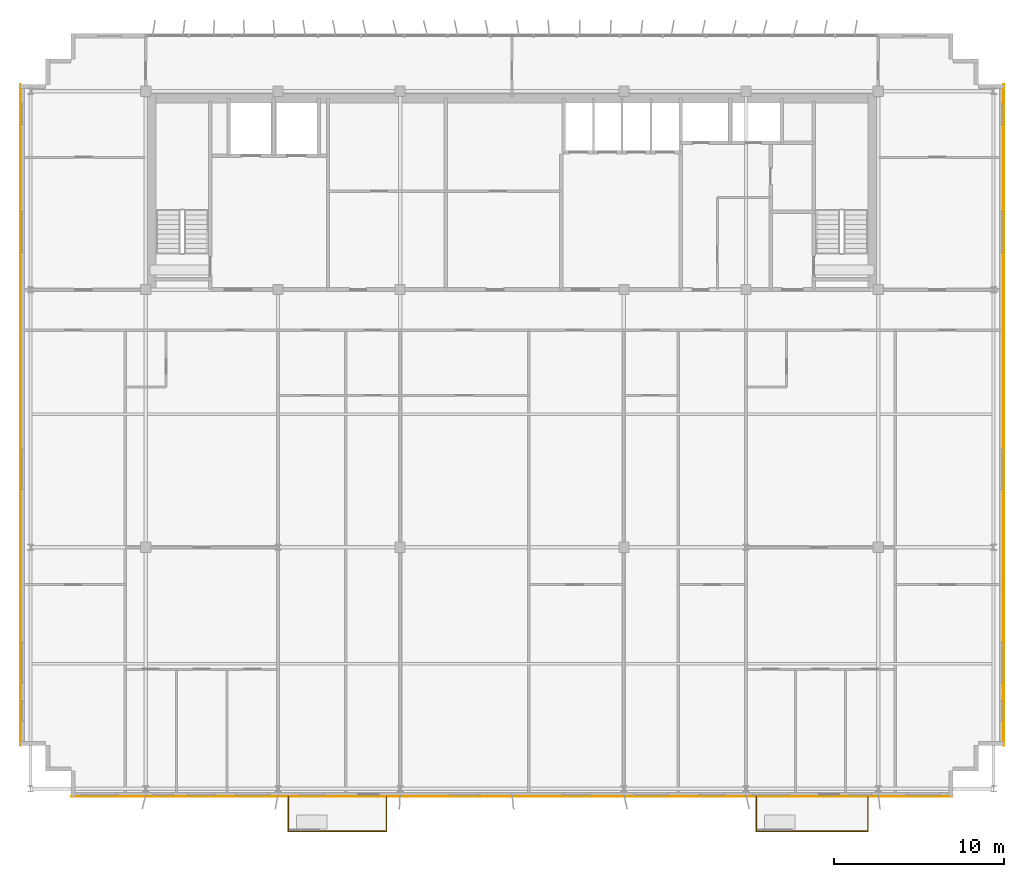
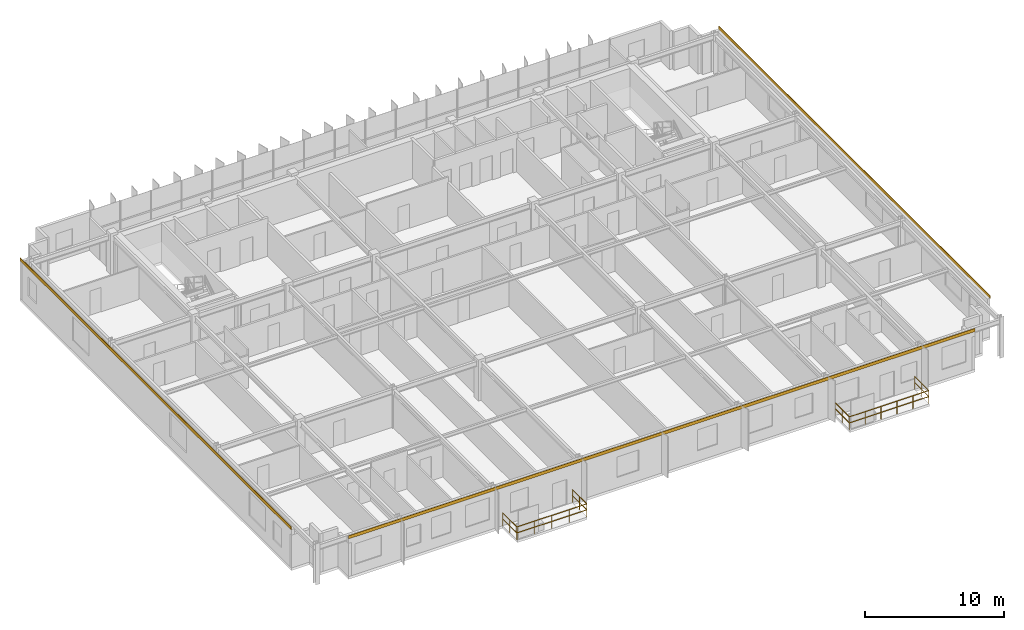
# One storey, part 21 of 22: 6 railings, 3 coverings.
"""IFC4 building model written with IfcOpenShell, lengths in metres."""

from ifc_helpers import new_model, si_unit, direction, frame, origin, origin_2d, place, context, subcontext, project, spatial, rectangle, extrude, source, transform, mapped, material, layer, layer_set, type_object, element, save


model = new_model("IFC4")

# Units and contexts
model_context = context("Model", 3, precision=1e-05, world=origin(), true_north=direction((0.0, 1.0)))
body_context = subcontext(model_context, "Body", "Model", "MODEL_VIEW")
ifc_project = project(units=[si_unit("LENGTHUNIT", "METRE"), si_unit("AREAUNIT", "SQUARE_METRE"), si_unit("VOLUMEUNIT", "CUBIC_METRE"), si_unit("PLANEANGLEUNIT", "RADIAN"), si_unit("MASSUNIT", "GRAM", prefix="KILO")], contexts=[model_context])

# Site, building, storey
site_placement = place(None, origin())
site = spatial("IfcSite", under=ifc_project, at=site_placement, CompositionType="ELEMENT")
building_placement = place(site_placement, origin())
building = spatial("IfcBuilding", under=site, at=building_placement, Name="Trelvane Seafront Commons", CompositionType="ELEMENT")
storey_placement = place(building_placement, frame((0.0, 0.0, 281.10009765625)))
storey = spatial("IfcBuildingStorey", under=building, at=storey_placement, Name="L73", CompositionType="ELEMENT", Elevation=281.10009765625)

# Railings
ifc_material_1 = material(Name="Stainless steel balustrade", Category="steel")
railing_type = type_object("IfcRailingType", Name="ARCH-RAIL-BAL1150", PredefinedType="BALUSTRADE", material=ifc_material_1)
railing_1_placement = place(storey_placement, frame((24.0, 3.5, 0.0)))
element("IfcRailing", 1, at=railing_1_placement, inside=storey, type_object=railing_type, Name="RL-L73-BAL0-01", PredefinedType="BALUSTRADE", context=body_context, shape_type="SweptSolid", body=[
    extrude(rectangle(XDim=0.048095703125, YDim=0.048095703125, at=origin_2d()), frame((0.0, 0.0, 1.1259765625), z_axis=(0.0, -1.0, 0.0), x_axis=(1.0, 0.0, 0.0)), (0.0, 0.0, 1.0), 2.0400390625),
    extrude(rectangle(XDim=0.048095703125, YDim=0.048095703125, at=origin_2d()), frame((0.0, 0.0, 0.597900390625), z_axis=(0.0, -1.0, 0.0), x_axis=(1.0, 0.0, 0.0)), (0.0, 0.0, 1.0), 2.0400390625),
    extrude(rectangle(XDim=0.0419921875, YDim=0.0419921875, at=origin_2d()), origin(), (0.0, 0.0, 1.0), 1.1259765625),
    extrude(rectangle(XDim=0.0419921875, YDim=0.0419921875, at=origin_2d()), frame((0.0, -1.02001953125, 0.0)), (0.0, 0.0, 1.0), 1.1259765625),
    extrude(rectangle(XDim=0.0419921875, YDim=0.0419921875, at=origin_2d()), frame((0.0, -2.0400390625, 0.0)), (0.0, 0.0, 1.0), 1.1259765625),
])
railing_2_placement = place(storey_placement, frame((24.0, 1.4599609375, 0.0)))
element("IfcRailing", 2, at=railing_2_placement, inside=storey, type_object=railing_type, Name="RL-L73-BAL0-02", PredefinedType="BALUSTRADE", context=body_context, shape_type="SweptSolid", body=[
    extrude(rectangle(XDim=0.048095703125, YDim=0.048095703125, at=origin_2d()), frame((0.0, 0.0, 1.1259765625), z_axis=(1.0, 0.0, 0.0), x_axis=(0.0, 1.0, 0.0)), (0.0, 0.0, 1.0), 5.800048828125),
    extrude(rectangle(XDim=0.048095703125, YDim=0.048095703125, at=origin_2d()), frame((0.0, 0.0, 0.597900390625), z_axis=(1.0, 0.0, 0.0), x_axis=(0.0, 1.0, 0.0)), (0.0, 0.0, 1.0), 5.800048828125),
    extrude(rectangle(XDim=0.0419921875, YDim=0.0419921875, at=origin_2d()), origin(), (0.0, 0.0, 1.0), 1.1259765625),
    extrude(rectangle(XDim=0.0419921875, YDim=0.0419921875, at=origin_2d()), frame((1.449951171875, 0.0, 0.0)), (0.0, 0.0, 1.0), 1.1259765625),
    extrude(rectangle(XDim=0.0419921875, YDim=0.0419921875, at=origin_2d()), frame((2.89990234375, 0.0, 0.0)), (0.0, 0.0, 1.0), 1.1259765625),
    extrude(rectangle(XDim=0.0419921875, YDim=0.0419921875, at=origin_2d()), frame((4.35009765625, 0.0, 0.0)), (0.0, 0.0, 1.0), 1.1259765625),
    extrude(rectangle(XDim=0.0419921875, YDim=0.0419921875, at=origin_2d()), frame((5.800048828125, 0.0, 0.0)), (0.0, 0.0, 1.0), 1.1259765625),
])
railing_3_placement = place(storey_placement, frame((29.800048828125, 1.4599609375, 0.0)))
element("IfcRailing", 3, at=railing_3_placement, inside=storey, type_object=railing_type, Name="RL-L73-BAL0-03", PredefinedType="BALUSTRADE", context=body_context, shape_type="SweptSolid", body=[
    extrude(rectangle(XDim=0.048095703125, YDim=0.048095703125, at=origin_2d()), frame((0.0, 0.0, 1.1259765625), z_axis=(0.0, 1.0, 0.0), x_axis=(-1.0, 0.0, 0.0)), (0.0, 0.0, 1.0), 2.0400390625),
    extrude(rectangle(XDim=0.048095703125, YDim=0.048095703125, at=origin_2d()), frame((0.0, 0.0, 0.597900390625), z_axis=(0.0, 1.0, 0.0), x_axis=(-1.0, 0.0, 0.0)), (0.0, 0.0, 1.0), 2.0400390625),
    extrude(rectangle(XDim=0.0419921875, YDim=0.0419921875, at=origin_2d()), origin(), (0.0, 0.0, 1.0), 1.1259765625),
    extrude(rectangle(XDim=0.0419921875, YDim=0.0419921875, at=origin_2d()), frame((0.0, 1.02001953125, 0.0)), (0.0, 0.0, 1.0), 1.1259765625),
    extrude(rectangle(XDim=0.0419921875, YDim=0.0419921875, at=origin_2d()), frame((0.0, 2.0400390625, 0.0)), (0.0, 0.0, 1.0), 1.1259765625),
])
railing_4_placement = place(storey_placement, frame((51.60009765625, 3.5, 0.0)))
element("IfcRailing", 4, at=railing_4_placement, inside=storey, type_object=railing_type, Name="RL-L73-BAL1-01", PredefinedType="BALUSTRADE", context=body_context, shape_type="SweptSolid", body=[
    extrude(rectangle(XDim=0.048095703125, YDim=0.048095703125, at=origin_2d()), frame((0.0, 0.0, 1.1259765625), z_axis=(0.0, -1.0, 0.0), x_axis=(1.0, 0.0, 0.0)), (0.0, 0.0, 1.0), 2.0400390625),
    extrude(rectangle(XDim=0.048095703125, YDim=0.048095703125, at=origin_2d()), frame((0.0, 0.0, 0.597900390625), z_axis=(0.0, -1.0, 0.0), x_axis=(1.0, 0.0, 0.0)), (0.0, 0.0, 1.0), 2.0400390625),
    extrude(rectangle(XDim=0.0419921875, YDim=0.0419921875, at=origin_2d()), origin(), (0.0, 0.0, 1.0), 1.1259765625),
    extrude(rectangle(XDim=0.0419921875, YDim=0.0419921875, at=origin_2d()), frame((0.0, -1.02001953125, 0.0)), (0.0, 0.0, 1.0), 1.1259765625),
    extrude(rectangle(XDim=0.0419921875, YDim=0.0419921875, at=origin_2d()), frame((0.0, -2.0400390625, 0.0)), (0.0, 0.0, 1.0), 1.1259765625),
])
railing_5_placement = place(storey_placement, frame((51.60009765625, 1.4599609375, 0.0)))
element("IfcRailing", 5, at=railing_5_placement, inside=storey, type_object=railing_type, Name="RL-L73-BAL1-02", PredefinedType="BALUSTRADE", context=body_context, shape_type="SweptSolid", body=[
    extrude(rectangle(XDim=0.048095703125, YDim=0.048095703125, at=origin_2d()), frame((0.0, 0.0, 1.1259765625), z_axis=(1.0, 0.0, 0.0), x_axis=(0.0, 1.0, 0.0)), (0.0, 0.0, 1.0), 6.599853515625),
    extrude(rectangle(XDim=0.048095703125, YDim=0.048095703125, at=origin_2d()), frame((0.0, 0.0, 0.597900390625), z_axis=(1.0, 0.0, 0.0), x_axis=(0.0, 1.0, 0.0)), (0.0, 0.0, 1.0), 6.599853515625),
    extrude(rectangle(XDim=0.0419921875, YDim=0.0419921875, at=origin_2d()), origin(), (0.0, 0.0, 1.0), 1.1259765625),
    extrude(rectangle(XDim=0.0419921875, YDim=0.0419921875, at=origin_2d()), frame((1.320068359375, 0.0, 0.0)), (0.0, 0.0, 1.0), 1.1259765625),
    extrude(rectangle(XDim=0.0419921875, YDim=0.0419921875, at=origin_2d()), frame((2.639892578125, 0.0, 0.0)), (0.0, 0.0, 1.0), 1.1259765625),
    extrude(rectangle(XDim=0.0419921875, YDim=0.0419921875, at=origin_2d()), frame((3.9599609375, 0.0, 0.0)), (0.0, 0.0, 1.0), 1.1259765625),
    extrude(rectangle(XDim=0.0419921875, YDim=0.0419921875, at=origin_2d()), frame((5.27978515625, 0.0, 0.0)), (0.0, 0.0, 1.0), 1.1259765625),
    extrude(rectangle(XDim=0.0419921875, YDim=0.0419921875, at=origin_2d()), frame((6.599853515625, 0.0, 0.0)), (0.0, 0.0, 1.0), 1.1259765625),
])
railing_6_placement = place(storey_placement, frame((58.199951171875, 1.4599609375, 0.0)))
element("IfcRailing", 6, at=railing_6_placement, inside=storey, type_object=railing_type, Name="RL-L73-BAL1-03", PredefinedType="BALUSTRADE", context=body_context, shape_type="SweptSolid", body=[
    extrude(rectangle(XDim=0.048095703125, YDim=0.048095703125, at=origin_2d()), frame((0.0, 0.0, 1.1259765625), z_axis=(0.0, 1.0, 0.0), x_axis=(-1.0, 0.0, 0.0)), (0.0, 0.0, 1.0), 2.0400390625),
    extrude(rectangle(XDim=0.048095703125, YDim=0.048095703125, at=origin_2d()), frame((0.0, 0.0, 0.597900390625), z_axis=(0.0, 1.0, 0.0), x_axis=(-1.0, 0.0, 0.0)), (0.0, 0.0, 1.0), 2.0400390625),
    extrude(rectangle(XDim=0.0419921875, YDim=0.0419921875, at=origin_2d()), origin(), (0.0, 0.0, 1.0), 1.1259765625),
    extrude(rectangle(XDim=0.0419921875, YDim=0.0419921875, at=origin_2d()), frame((0.0, 1.02001953125, 0.0)), (0.0, 0.0, 1.0), 1.1259765625),
    extrude(rectangle(XDim=0.0419921875, YDim=0.0419921875, at=origin_2d()), frame((0.0, 2.0400390625, 0.0)), (0.0, 0.0, 1.0), 1.1259765625),
])

# Coverings
ifc_material_2 = material(Name="Anodised pale-silver aluminium", Category="aluminium")
ifc_layer = layer(ifc_material_2, 0.034912109375, Name="ARCH-COV-CLAD35")
ifc_layer_set = layer_set([ifc_layer], Name="Anodised pale-silver aluminium")
covering_type = type_object("IfcCoveringType", Name="ARCH-COV-CLAD35", PredefinedType="CLADDING", material=ifc_layer_set)
shared_shape_1 = source(origin(), body_context, "Body", "SweptSolid", [
    extrude(rectangle(XDim=39.0, YDim=0.034912109375, at=origin_2d()), origin(), (0.0, 0.0, 1.0), 0.27001953125),
])
for number, where, z_axis, x_axis, name in (
    (7, (8.199951171875, 26.0, 3.329833984375), (0.0, 0.0, 1.0), (0.0, 1.0, 0.0), "CLD-L73-00290"),
    (8, (66.199951171875, 26.0, 3.329833984375), (0.0, 0.0, 1.0), (0.0, -1.0, 0.0), "CLD-L73-00291"),
):
    element("IfcCovering", number, at=place(storey_placement, frame(where, z_axis=z_axis, x_axis=x_axis)), inside=storey, type_object=covering_type, Name=name, PredefinedType="CLADDING", context=body_context, shape_type="MappedRepresentation", body=[
        mapped(shared_shape_1, transform((0.0, 0.0, 0.0), x_axis=(1.0, 0.0, 0.0), y_axis=(0.0, 1.0, 0.0), z_axis=(0.0, 0.0, 1.0), scale=1.0)),
    ])
shared_shape_2 = source(origin(), body_context, "Body", "SweptSolid", [
    extrude(rectangle(XDim=52.0, YDim=0.034912109375, at=origin_2d()), origin(), (0.0, 0.0, 1.0), 0.27001953125),
])
covering_placement = place(storey_placement, frame((37.199951171875, 3.5, 3.329833984375), z_axis=(0.0, 0.0, 1.0), x_axis=(-1.0, 0.0, 0.0)))
element("IfcCovering", 9, at=covering_placement, inside=storey, type_object=covering_type, Name="CLD-L73-00292", PredefinedType="CLADDING", context=body_context, shape_type="MappedRepresentation", body=[
    mapped(shared_shape_2, transform((0.0, 0.0, 0.0), x_axis=(1.0, 0.0, 0.0), y_axis=(0.0, 1.0, 0.0), z_axis=(0.0, 0.0, 1.0), scale=1.0)),
])

save(model, "model.ifc")
